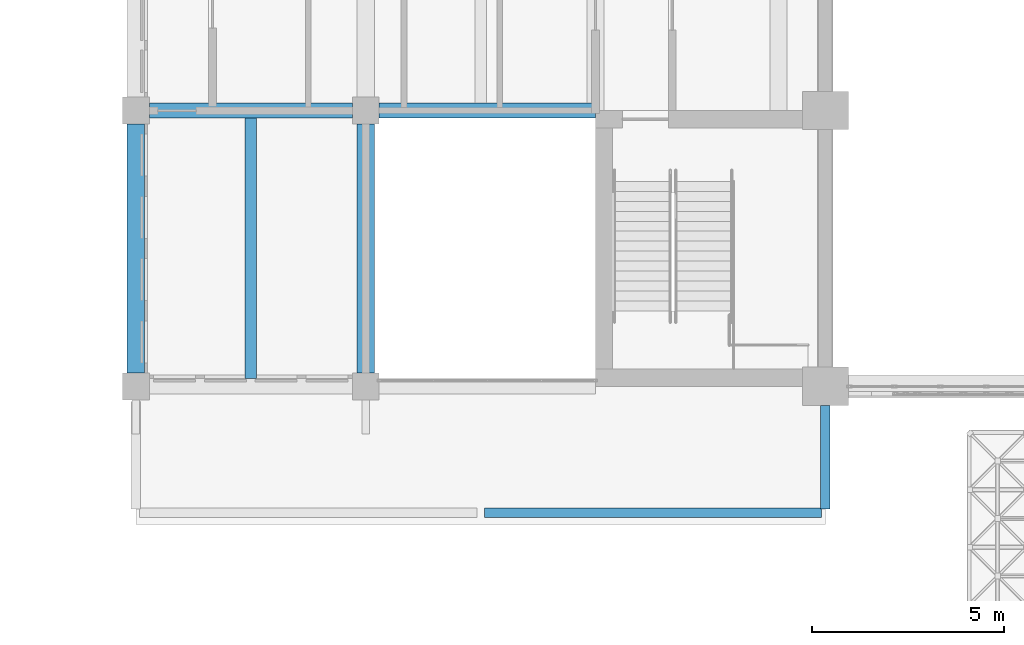
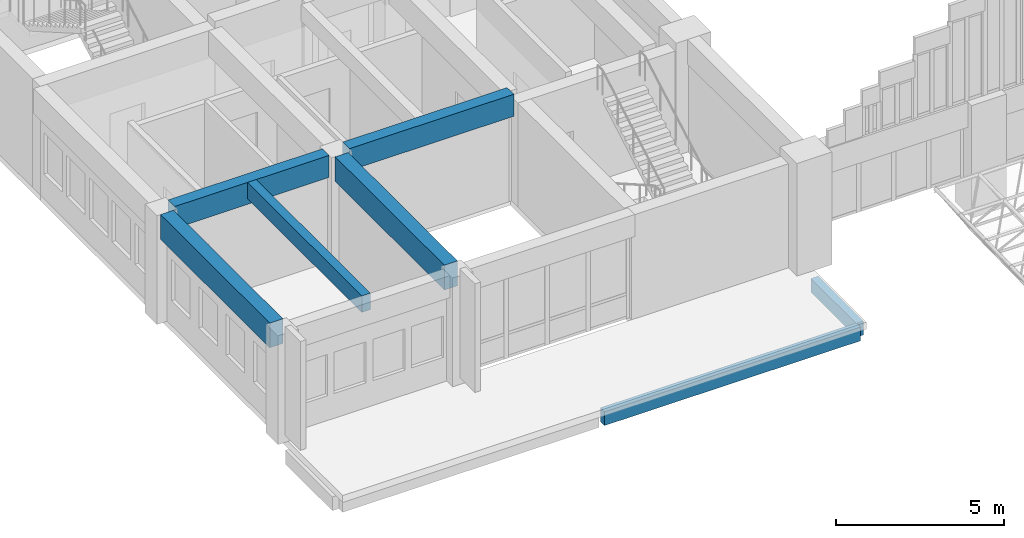
# One storey, part 7 of 103: 7 beams.
"""IFC4 building model written with IfcOpenShell, lengths in metres."""

from ifc_helpers import new_model, si_unit, direction, frame, origin, origin_2d, place, context, subcontext, project, spatial, rectangle, extrude, material, material_profile, profile_set, type_object, element, save


model = new_model("IFC4")

# Units and contexts
model_context = context("Model", 3, precision=1e-05, world=origin(), true_north=direction((0.0, 1.0)))
body_context = subcontext(model_context, "Body", "Model", "MODEL_VIEW")
ifc_project = project(units=[si_unit("LENGTHUNIT", "METRE"), si_unit("AREAUNIT", "SQUARE_METRE"), si_unit("VOLUMEUNIT", "CUBIC_METRE"), si_unit("PLANEANGLEUNIT", "RADIAN"), si_unit("MASSUNIT", "GRAM", prefix="KILO")], contexts=[model_context])

# Site, building, storey
site_placement = place(None, origin())
site = spatial("IfcSite", under=ifc_project, at=site_placement, CompositionType="ELEMENT")
building_placement = place(site_placement, origin())
building = spatial("IfcBuilding", under=site, at=building_placement, Name="Laocheng Heights Fire and Rescue Headquarters", CompositionType="ELEMENT")
storey_placement = place(building_placement, frame((0.0, 0.0, 4.199951171875)))
storey = spatial("IfcBuildingStorey", under=building, at=storey_placement, Name="L01", CompositionType="ELEMENT", Elevation=4.199951171875)

# Beams
ifc_material_1 = material(Name="Concrete C40", Category="concrete")
ifc_material_profile_1 = material_profile(ifc_material_1, rectangle(XDim=0.25, YDim=0.5, at=origin_2d()), Name="RC BEAM 250x500 CANOPY EDGE")
ifc_profile_set_1 = profile_set([ifc_material_profile_1], Name="Concrete C40")
beam_type_1 = type_object("IfcBeamType", Name="RC BEAM 250x500 CANOPY EDGE", PredefinedType="BEAM", material=ifc_profile_set_1)
beam_1_placement = place(storey_placement, frame((9.10009765625, -3.300048828125, -0.5), z_axis=(1.0, 0.0, 0.0), x_axis=(0.0, 1.0, 0.0)))
element("IfcBeam", 1, at=beam_1_placement, inside=storey, type_object=beam_type_1, Name="Canopy edge beam", PredefinedType="BEAM", context=body_context, shape_type="SweptSolid", body=[
    extrude(rectangle(XDim=0.25, YDim=0.5, at=origin_2d()), origin(), (0.0, 0.0, 1.0), 8.7998046875),
])
beam_2_placement = place(storey_placement, frame((18.0, -3.199951171875, -0.5), z_axis=(0.0, 1.0, 0.0), x_axis=(-1.0, 0.0, 0.0)))
element("IfcBeam", 2, at=beam_2_placement, inside=storey, type_object=beam_type_1, Name="Canopy side beam", PredefinedType="BEAM", context=body_context, shape_type="SweptSolid", body=[
    extrude(rectangle(XDim=0.25, YDim=0.5, at=origin_2d()), origin(), (0.0, 0.0, 1.0), 2.699951171875),
])
ifc_material_2 = material(Name="Concrete C40", Category="concrete")
ifc_material_profile_2 = material_profile(ifc_material_2, rectangle(XDim=0.300048828125, YDim=0.60009765625, at=origin_2d()), Name="RC BEAM 300x600 PAVILION SECONDARY")
ifc_profile_set_2 = profile_set([ifc_material_profile_2], Name="Concrete C40")
beam_type_2 = type_object("IfcBeamType", Name="RC BEAM 300x600 PAVILION SECONDARY", PredefinedType="BEAM", material=ifc_profile_set_2)
beam_3_placement = place(storey_placement, frame((3.0, 0.199951171875, 3.650146484375), z_axis=(0.0, 1.0, 0.0), x_axis=(-1.0, 0.0, 0.0)))
element("IfcBeam", 3, at=beam_3_placement, inside=storey, type_object=beam_type_2, Name="Pavilion secondary beam", PredefinedType="BEAM", context=body_context, shape_type="SweptSolid", body=[
    extrude(rectangle(XDim=0.300048828125, YDim=0.60009765625, at=origin_2d()), origin(), (0.0, 0.0, 1.0), 6.800048828125),
])
ifc_material_3 = material(Name="Concrete C40", Category="concrete")
ifc_material_profile_3 = material_profile(ifc_material_3, rectangle(XDim=0.39990234375, YDim=0.800048828125, at=origin_2d()), Name="RC BEAM 400x800 PAVILION FLOOR")
ifc_profile_set_3 = profile_set([ifc_material_profile_3], Name="Concrete C40")
beam_type_3 = type_object("IfcBeamType", Name="RC BEAM 400x800 PAVILION FLOOR", PredefinedType="BEAM", material=ifc_profile_set_3)
beam_4_placement = place(storey_placement, frame((0.35009765625, 7.199951171875, 3.550048828125), z_axis=(1.0, 0.0, 0.0), x_axis=(0.0, 1.0, 0.0)))
element("IfcBeam", 4, at=beam_4_placement, inside=storey, type_object=beam_type_3, Name="Pavilion beam", PredefinedType="BEAM", context=body_context, shape_type="SweptSolid", body=[
    extrude(rectangle(XDim=0.39990234375, YDim=0.800048828125, at=origin_2d()), origin(), (0.0, 0.0, 1.0), 5.2998046875),
])
beam_5_placement = place(storey_placement, frame((6.35009765625, 7.199951171875, 3.550048828125), z_axis=(1.0, 0.0, 0.0), x_axis=(0.0, 1.0, 0.0)))
element("IfcBeam", 5, at=beam_5_placement, inside=storey, type_object=beam_type_3, Name="Pavilion beam", PredefinedType="BEAM", context=body_context, shape_type="SweptSolid", body=[
    extrude(rectangle(XDim=0.39990234375, YDim=0.800048828125, at=origin_2d()), origin(), (0.0, 0.0, 1.0), 5.64990234375),
])
ifc_material_4 = material(Name="Concrete C40", Category="concrete")
ifc_material_profile_4 = material_profile(ifc_material_4, rectangle(XDim=0.449951171875, YDim=0.89990234375, at=origin_2d()), Name="RC BEAM 450x900 PAVILION FLOOR")
ifc_profile_set_4 = profile_set([ifc_material_profile_4], Name="Concrete C40")
beam_type_4 = type_object("IfcBeamType", Name="RC BEAM 450x900 PAVILION FLOOR", PredefinedType="BEAM", material=ifc_profile_set_4)
for number, where, z_axis, x_axis, name in (
    (6, (0.0, 0.35009765625, 3.5), (0.0, 1.0, 0.0), (-1.0, 0.0, 0.0), "Pavilion beam"),
    (7, (6.0, 0.35009765625, 3.5), (0.0, 1.0, 0.0), (-1.0, 0.0, 0.0), "Pavilion beam"),
):
    element("IfcBeam", number, at=place(storey_placement, frame(where, z_axis=z_axis, x_axis=x_axis)), inside=storey, type_object=beam_type_4, Name=name, PredefinedType="BEAM", context=body_context, shape_type="SweptSolid", body=[
        extrude(rectangle(XDim=0.449951171875, YDim=0.89990234375, at=origin_2d()), origin(), (0.0, 0.0, 1.0), 6.5),
    ])

save(model, "model.ifc")
